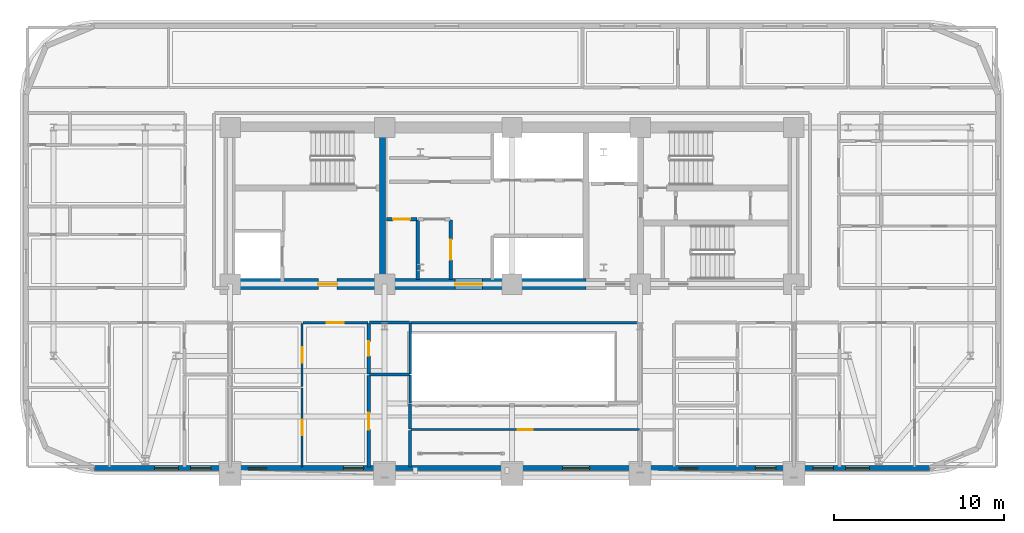
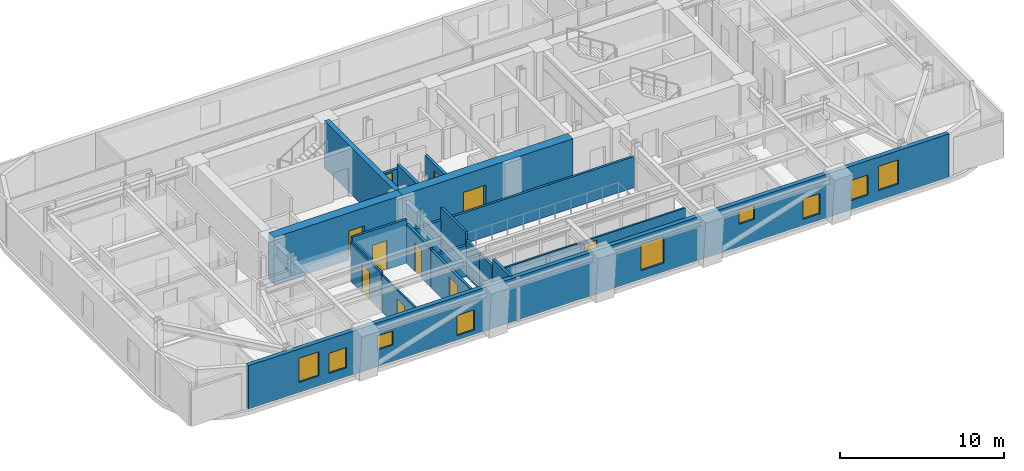
# One storey, part 9 of 16: 20 walls, 10 doors, 9 windows, 19 openings.
"""IFC4 building model written with IfcOpenShell, lengths in metres."""

from ifc_helpers import new_model, si_unit, direction, frame, frame_2d, origin, place, context, subcontext, project, spatial, rectangle, extrude, material, layer, layer_set, type_object, element, fill, save


model = new_model("IFC4")

# Units and contexts
model_context = context("Model", 3, precision=1e-05, world=origin(), true_north=direction((0.0, 1.0)))
body_context = subcontext(model_context, "Body", "Model", "MODEL_VIEW")
ifc_project = project(units=[si_unit("LENGTHUNIT", "METRE"), si_unit("AREAUNIT", "SQUARE_METRE"), si_unit("VOLUMEUNIT", "CUBIC_METRE"), si_unit("PLANEANGLEUNIT", "RADIAN"), si_unit("MASSUNIT", "GRAM", prefix="KILO")], contexts=[model_context])

# Site, building, storey
site_placement = place(None, origin())
site = spatial("IfcSite", under=ifc_project, at=site_placement, CompositionType="ELEMENT")
building_placement = place(site_placement, origin())
building = spatial("IfcBuilding", under=site, at=building_placement, Name="Zarnavel Station Tower", CompositionType="ELEMENT")
storey_placement = place(building_placement, frame((0.0, 0.0, 104.800048828125)))
storey = spatial("IfcBuildingStorey", under=building, at=storey_placement, Name="L28", CompositionType="ELEMENT", Elevation=104.800048828125)

# Wall
ifc_material_1 = material(Name="Concrete C50/60", Category="concrete")
ifc_layer_1 = layer(ifc_material_1, 0.35009765625)
ifc_layer_set_1 = layer_set([ifc_layer_1], Name="CW_350")
wall_type_1 = type_object("IfcWallType", Name="CW_350", PredefinedType="SHEAR", material=ifc_layer_set_1)
wall_1_placement = place(storey_placement, frame((21.179931640625, 28.14501953125, 0.0), z_axis=(0.0, 0.0, 1.0), x_axis=(0.0, 1.0, 0.0)))
element("IfcWall", 1, at=wall_1_placement, inside=storey, type_object=wall_type_1, Name="L28 Rear Core Shear Wall DIV-W", PredefinedType="SHEAR", context=body_context, shape_type="SweptSolid", body=[
    extrude(rectangle(XDim=8.580078125, YDim=0.35009765625, at=frame_2d((4.2900390625, 0.0))), origin(), (0.0, 0.0, 1.0), 3.5),
])

# Wall, opening, door
ifc_material_2 = material(Name="Concrete C60/75", Category="concrete")
ifc_layer_2 = layer(ifc_material_2, 0.64990234375)
ifc_layer_set_2 = layer_set([ifc_layer_2], Name="CW_650")
wall_type_2 = type_object("IfcWallType", Name="CW_650", PredefinedType="SHEAR", material=ifc_layer_set_2)
wall_2_placement = place(storey_placement, frame((21.179931640625, 27.820068359375, 0.0), z_axis=(0.0, 0.0, 1.0), x_axis=(-1.0, 0.0, 0.0)))
wall_2 = element("IfcWall", 2, at=wall_2_placement, inside=storey, type_object=wall_type_2, Name="L28 Rear Core Shear Wall S-W", PredefinedType="SHEAR", context=body_context, shape_type="SweptSolid", body=[
    extrude(rectangle(XDim=9.030029296875, YDim=0.64990234375, at=frame_2d((4.51513671875, 0.0))), origin(), (0.0, 0.0, 1.0), 3.5),
])
opening_1_placement = place(wall_2_placement, frame((2.679931640625, 0.0, 0.0)))
opening_1 = element("IfcOpeningElement", 3, at=opening_1_placement, cuts=wall_2, Name="Opening FD01", PredefinedType="OPENING", context=body_context, shape_type="SweptSolid", body=[
    extrude(rectangle(XDim=1.10009765625, YDim=2.14990234375, at=frame_2d((0.550048828125, 1.074951171875))), frame((0.0, 0.3349609375, 0.0), z_axis=(0.0, -1.0, 0.0), x_axis=(1.0, 0.0, 0.0)), (0.0, 0.0, 1.0), 0.669921875),
])
ifc_material_3 = material(Name="Painted Galvanised Steel and Hardwood Leaf", Category="steel")
door_type_1 = type_object("IfcDoorType", Name="ID_STAIR_1100", OperationType="NOTDEFINED", PredefinedType="DOOR", material=ifc_material_3)
door_1_placement = place(opening_1_placement, origin())
door_1 = element("IfcDoor", 4, at=door_1_placement, inside=storey, type_object=door_type_1, Name="L28 West Firefighting Lobby Door", OperationType="SINGLE_SWING_RIGHT", OverallHeight=2.14990234375, OverallWidth=1.10009765625, PredefinedType="DOOR", context=body_context, shape_type="SweptSolid", body=[
    extrude(rectangle(XDim=1.10009765625, YDim=2.14990234375, at=frame_2d((0.550048828125, 1.074951171875))), frame((0.0, 0.02490234375, 0.0), z_axis=(0.0, -1.0, 0.0), x_axis=(1.0, 0.0, 0.0)), (0.0, 0.0, 1.0), 0.050048828125),
])
fill(opening_1, door_1)

wall_3_placement = place(storey_placement, frame((33.14990234375, 27.820068359375, 0.0), z_axis=(0.0, 0.0, 1.0), x_axis=(-1.0, 0.0, 0.0)))
wall_3 = element("IfcWall", 5, at=wall_3_placement, inside=storey, type_object=wall_type_2, Name="L28 Rear Core Shear Wall S-M", PredefinedType="SHEAR", context=body_context, shape_type="SweptSolid", body=[
    extrude(rectangle(XDim=11.969970703125, YDim=0.64990234375, at=frame_2d((5.98486328125, 0.0))), origin(), (0.0, 0.0, 1.0), 3.5),
])
opening_2_placement = place(wall_3_placement, frame((6.10009765625, 0.0, 0.0)))
opening_2 = element("IfcOpeningElement", 6, at=opening_2_placement, cuts=wall_3, Name="Opening ID03", PredefinedType="OPENING", context=body_context, shape_type="SweptSolid", body=[
    extrude(rectangle(XDim=1.60009765625, YDim=2.199951171875, at=frame_2d((0.800048828125, 1.10009765625))), frame((0.0, 0.3349609375, 0.0), z_axis=(0.0, -1.0, 0.0), x_axis=(1.0, 0.0, 0.0)), (0.0, 0.0, 1.0), 0.669921875),
])
ifc_material_4 = material(Name="Painted Galvanised Steel and Hardwood Leaf", Category="steel")
door_type_2 = type_object("IfcDoorType", Name="ID_PUBLIC_1600", OperationType="DOUBLE_DOOR_SINGLE_SWING", PredefinedType="DOOR", material=ifc_material_4)
door_2_placement = place(opening_2_placement, origin())
door_2 = element("IfcDoor", 7, at=door_2_placement, inside=storey, type_object=door_type_2, Name="L28 Passenger Lift Lobby Double Door", OperationType="SINGLE_SWING_LEFT", OverallHeight=2.199951171875, OverallWidth=1.60009765625, PredefinedType="DOOR", context=body_context, shape_type="SweptSolid", body=[
    extrude(rectangle(XDim=1.60009765625, YDim=2.199951171875, at=frame_2d((0.800048828125, 1.10009765625))), frame((0.0, 0.02490234375, 0.0), z_axis=(0.0, -1.0, 0.0), x_axis=(1.0, 0.0, 0.0)), (0.0, 0.0, 1.0), 0.050048828125),
])
fill(opening_2, door_2)

# Wall, openings, windows
ifc_material_5 = material(Name="Precast concrete C45/55 (Dark Basalt Finish)", Category="masonry")
ifc_layer_3 = layer(ifc_material_5, 0.300048828125)
ifc_layer_set_3 = layer_set([ifc_layer_3], Name="EW_BASALT_300")
wall_type_3 = type_object("IfcWallType", Name="EW_BASALT_300", PredefinedType="SOLIDWALL", material=ifc_layer_set_3)
wall_4_placement = place(storey_placement, frame((53.39990234375, 16.97998046875, 0.0), z_axis=(0.0, 0.0, 1.0), x_axis=(-1.0, 0.0, 0.0)))
wall_4 = element("IfcWall", 8, at=wall_4_placement, inside=storey, type_object=wall_type_3, Name="L28 Exterior Basalt Masonry Frame Wall 12", PredefinedType="SOLIDWALL", context=body_context, shape_type="SweptSolid", body=[
    extrude(rectangle(XDim=49.199951171875, YDim=0.300048828125, at=frame_2d((24.60009765625, 0.0))), origin(), (0.0, 0.0, 1.0), 3.239990234375),
])
opening_3_placement = place(wall_4_placement, frame((44.256103515625, 0.0, 0.75)))
opening_3 = element("IfcOpeningElement", 9, at=opening_3_placement, cuts=wall_4, Name="Opening WN01", PredefinedType="OPENING", context=body_context, shape_type="SweptSolid", body=[
    extrude(rectangle(XDim=1.39990234375, YDim=1.800048828125, at=frame_2d((0.699951171875, 0.89990234375))), frame((0.0, 0.159912109375, 0.0), z_axis=(0.0, -1.0, 0.0), x_axis=(1.0, 0.0, 0.0)), (0.0, 0.0, 1.0), 0.320068359375),
])
opening_4_placement = place(wall_4_placement, frame((42.330078125, 0.0, 0.679931640625)))
opening_4 = element("IfcOpeningElement", 10, at=opening_4_placement, cuts=wall_4, Name="Opening WN08", PredefinedType="OPENING", context=body_context, shape_type="SweptSolid", body=[
    extrude(rectangle(XDim=1.199951171875, YDim=1.5, at=frame_2d((0.60009765625, 0.75))), frame((0.0, 0.159912109375, 0.0), z_axis=(0.0, -1.0, 0.0), x_axis=(1.0, 0.0, 0.0)), (0.0, 0.0, 1.0), 0.320068359375),
])
opening_5_placement = place(wall_4_placement, frame((33.337890625, 0.0, 0.340087890625)))
opening_5 = element("IfcOpeningElement", 11, at=opening_5_placement, cuts=wall_4, Name="Opening WN08", PredefinedType="OPENING", context=body_context, shape_type="SweptSolid", body=[
    extrude(rectangle(XDim=1.199951171875, YDim=1.5, at=frame_2d((0.60009765625, 0.75))), frame((0.0, 0.159912109375, 0.0), z_axis=(0.0, -1.0, 0.0), x_axis=(1.0, 0.0, 0.0)), (0.0, 0.0, 1.0), 0.320068359375),
])
opening_6_placement = place(wall_4_placement, frame((39.03955078125, 0.0, 1.219970703125)))
opening_6 = element("IfcOpeningElement", 12, at=opening_6_placement, cuts=wall_4, Name="Opening WN09", PredefinedType="OPENING", context=body_context, shape_type="SweptSolid", body=[
    extrude(rectangle(XDim=1.10009765625, YDim=1.050048828125, at=frame_2d((0.550048828125, 0.52490234375))), frame((0.0, 0.159912109375, 0.0), z_axis=(0.0, -1.0, 0.0), x_axis=(1.0, 0.0, 0.0)), (0.0, 0.0, 1.0), 0.320068359375),
])
opening_7_placement = place(wall_4_placement, frame((20.02490234375, 0.0, 0.64990234375)))
opening_7 = element("IfcOpeningElement", 13, at=opening_7_placement, cuts=wall_4, Name="Opening WN06", PredefinedType="OPENING", context=body_context, shape_type="SweptSolid", body=[
    extrude(rectangle(XDim=1.60009765625, YDim=1.949951171875, at=frame_2d((0.800048828125, 0.97509765625))), frame((0.0, 0.159912109375, 0.0), z_axis=(0.0, -1.0, 0.0), x_axis=(1.0, 0.0, 0.0)), (0.0, 0.0, 1.0), 0.320068359375),
])
opening_8_placement = place(wall_4_placement, frame((9.060302734375, 0.0, 0.47998046875)))
opening_8 = element("IfcOpeningElement", 14, at=opening_8_placement, cuts=wall_4, Name="Opening WN08", PredefinedType="OPENING", context=body_context, shape_type="SweptSolid", body=[
    extrude(rectangle(XDim=1.199951171875, YDim=1.5, at=frame_2d((0.60009765625, 0.75))), frame((0.0, 0.159912109375, 0.0), z_axis=(0.0, -1.0, 0.0), x_axis=(1.0, 0.0, 0.0)), (0.0, 0.0, 1.0), 0.320068359375),
])
opening_9_placement = place(wall_4_placement, frame((13.64990234375, 0.0, 1.679931640625)))
opening_9 = element("IfcOpeningElement", 15, at=opening_9_placement, cuts=wall_4, Name="Opening WN09", PredefinedType="OPENING", context=body_context, shape_type="SweptSolid", body=[
    extrude(rectangle(XDim=1.10009765625, YDim=1.050048828125, at=frame_2d((0.550048828125, 0.52490234375))), frame((0.0, 0.159912109375, 0.0), z_axis=(0.0, -1.0, 0.0), x_axis=(1.0, 0.0, 0.0)), (0.0, 0.0, 1.0), 0.320068359375),
])
opening_10_placement = place(wall_4_placement, frame((3.543701171875, 0.0, 0.75)))
opening_10 = element("IfcOpeningElement", 16, at=opening_10_placement, cuts=wall_4, Name="Opening WN01", PredefinedType="OPENING", context=body_context, shape_type="SweptSolid", body=[
    extrude(rectangle(XDim=1.39990234375, YDim=1.800048828125, at=frame_2d((0.699951171875, 0.89990234375))), frame((0.0, 0.159912109375, 0.0), z_axis=(0.0, -1.0, 0.0), x_axis=(1.0, 0.0, 0.0)), (0.0, 0.0, 1.0), 0.320068359375),
])
opening_11_placement = place(wall_4_placement, frame((5.669921875, 0.0, 0.679931640625)))
opening_11 = element("IfcOpeningElement", 17, at=opening_11_placement, cuts=wall_4, Name="Opening WN08", PredefinedType="OPENING", context=body_context, shape_type="SweptSolid", body=[
    extrude(rectangle(XDim=1.199951171875, YDim=1.5, at=frame_2d((0.60009765625, 0.75))), frame((0.0, 0.159912109375, 0.0), z_axis=(0.0, -1.0, 0.0), x_axis=(1.0, 0.0, 0.0)), (0.0, 0.0, 1.0), 0.320068359375),
])
ifc_material_6 = material(Name="Thermally Broken Black Aluminium and Low-E Dark Glass", Category="aluminium")
window_type_1 = type_object("IfcWindowType", Name="WN_1100x1050", PartitioningType="SINGLE_PANEL", PredefinedType="WINDOW", material=ifc_material_6)
window_1_placement = place(opening_6_placement, origin())
window_1 = element("IfcWindow", 18, at=window_1_placement, inside=storey, type_object=window_type_1, Name="L28 Recessed Facade Window 04", OverallHeight=1.050048828125, OverallWidth=1.10009765625, PartitioningType="SINGLE_PANEL", PredefinedType="WINDOW", context=body_context, shape_type="SweptSolid", body=[
    extrude(rectangle(XDim=1.10009765625, YDim=1.050048828125, at=frame_2d((0.550048828125, 0.52490234375))), frame((0.0, 0.030029296875, 0.0), z_axis=(0.0, -1.0, 0.0), x_axis=(1.0, 0.0, 0.0)), (0.0, 0.0, 1.0), 0.06005859375),
])
fill(opening_6, window_1)
window_2_placement = place(opening_9_placement, origin())
window_2 = element("IfcWindow", 19, at=window_2_placement, inside=storey, type_object=window_type_1, Name="L28 Recessed Facade Window 07", OverallHeight=1.050048828125, OverallWidth=1.10009765625, PartitioningType="SINGLE_PANEL", PredefinedType="WINDOW", context=body_context, shape_type="SweptSolid", body=[
    extrude(rectangle(XDim=1.10009765625, YDim=1.050048828125, at=frame_2d((0.550048828125, 0.52490234375))), frame((0.0, 0.030029296875, 0.0), z_axis=(0.0, -1.0, 0.0), x_axis=(1.0, 0.0, 0.0)), (0.0, 0.0, 1.0), 0.06005859375),
])
fill(opening_9, window_2)
ifc_material_7 = material(Name="Thermally Broken Black Aluminium and Low-E Dark Glass", Category="aluminium")
window_type_2 = type_object("IfcWindowType", Name="WN_1200x1500", PartitioningType="SINGLE_PANEL", PredefinedType="WINDOW", material=ifc_material_7)
window_3_placement = place(opening_4_placement, origin())
window_3 = element("IfcWindow", 20, at=window_3_placement, inside=storey, type_object=window_type_2, Name="L28 Recessed Facade Window 02", OverallHeight=1.5, OverallWidth=1.199951171875, PartitioningType="SINGLE_PANEL", PredefinedType="WINDOW", context=body_context, shape_type="SweptSolid", body=[
    extrude(rectangle(XDim=1.199951171875, YDim=1.5, at=frame_2d((0.60009765625, 0.75))), frame((0.0, 0.030029296875, 0.0), z_axis=(0.0, -1.0, 0.0), x_axis=(1.0, 0.0, 0.0)), (0.0, 0.0, 1.0), 0.06005859375),
])
fill(opening_4, window_3)
window_4_placement = place(opening_5_placement, origin())
window_4 = element("IfcWindow", 21, at=window_4_placement, inside=storey, type_object=window_type_2, Name="L28 Recessed Facade Window 03", OverallHeight=1.5, OverallWidth=1.199951171875, PartitioningType="SINGLE_PANEL", PredefinedType="WINDOW", context=body_context, shape_type="SweptSolid", body=[
    extrude(rectangle(XDim=1.199951171875, YDim=1.5, at=frame_2d((0.60009765625, 0.75))), frame((0.0, 0.030029296875, 0.0), z_axis=(0.0, -1.0, 0.0), x_axis=(1.0, 0.0, 0.0)), (0.0, 0.0, 1.0), 0.06005859375),
])
fill(opening_5, window_4)
window_5_placement = place(opening_8_placement, origin())
window_5 = element("IfcWindow", 22, at=window_5_placement, inside=storey, type_object=window_type_2, Name="L28 Recessed Facade Window 06", OverallHeight=1.5, OverallWidth=1.199951171875, PartitioningType="SINGLE_PANEL", PredefinedType="WINDOW", context=body_context, shape_type="SweptSolid", body=[
    extrude(rectangle(XDim=1.199951171875, YDim=1.5, at=frame_2d((0.60009765625, 0.75))), frame((0.0, 0.030029296875, 0.0), z_axis=(0.0, -1.0, 0.0), x_axis=(1.0, 0.0, 0.0)), (0.0, 0.0, 1.0), 0.06005859375),
])
fill(opening_8, window_5)
window_6_placement = place(opening_11_placement, origin())
window_6 = element("IfcWindow", 23, at=window_6_placement, inside=storey, type_object=window_type_2, Name="L28 Recessed Facade Window 09", OverallHeight=1.5, OverallWidth=1.199951171875, PartitioningType="SINGLE_PANEL", PredefinedType="WINDOW", context=body_context, shape_type="SweptSolid", body=[
    extrude(rectangle(XDim=1.199951171875, YDim=1.5, at=frame_2d((0.60009765625, 0.75))), frame((0.0, 0.030029296875, 0.0), z_axis=(0.0, -1.0, 0.0), x_axis=(1.0, 0.0, 0.0)), (0.0, 0.0, 1.0), 0.06005859375),
])
fill(opening_11, window_6)
ifc_material_8 = material(Name="Thermally Broken Black Aluminium and Low-E Dark Glass", Category="aluminium")
window_type_3 = type_object("IfcWindowType", Name="WN_1400x1800", PartitioningType="DOUBLE_PANEL_VERTICAL", PredefinedType="WINDOW", material=ifc_material_8)
window_7_placement = place(opening_3_placement, origin())
window_7 = element("IfcWindow", 24, at=window_7_placement, inside=storey, type_object=window_type_3, Name="L28 Recessed Facade Window 01", OverallHeight=1.800048828125, OverallWidth=1.39990234375, PartitioningType="SINGLE_PANEL", PredefinedType="WINDOW", context=body_context, shape_type="SweptSolid", body=[
    extrude(rectangle(XDim=1.39990234375, YDim=1.800048828125, at=frame_2d((0.699951171875, 0.89990234375))), frame((0.0, 0.030029296875, 0.0), z_axis=(0.0, -1.0, 0.0), x_axis=(1.0, 0.0, 0.0)), (0.0, 0.0, 1.0), 0.06005859375),
])
fill(opening_3, window_7)
window_8_placement = place(opening_10_placement, origin())
window_8 = element("IfcWindow", 25, at=window_8_placement, inside=storey, type_object=window_type_3, Name="L28 Recessed Facade Window 08", OverallHeight=1.800048828125, OverallWidth=1.39990234375, PartitioningType="SINGLE_PANEL", PredefinedType="WINDOW", context=body_context, shape_type="SweptSolid", body=[
    extrude(rectangle(XDim=1.39990234375, YDim=1.800048828125, at=frame_2d((0.699951171875, 0.89990234375))), frame((0.0, 0.030029296875, 0.0), z_axis=(0.0, -1.0, 0.0), x_axis=(1.0, 0.0, 0.0)), (0.0, 0.0, 1.0), 0.06005859375),
])
fill(opening_10, window_8)
ifc_material_9 = material(Name="Thermally Broken Black Aluminium and Low-E Dark Glass", Category="aluminium")
window_type_4 = type_object("IfcWindowType", Name="WN_1600x1950", PartitioningType="DOUBLE_PANEL_VERTICAL", PredefinedType="WINDOW", material=ifc_material_9)
window_9_placement = place(opening_7_placement, origin())
window_9 = element("IfcWindow", 26, at=window_9_placement, inside=storey, type_object=window_type_4, Name="L28 Recessed Facade Window 05", OverallHeight=1.949951171875, OverallWidth=1.60009765625, PartitioningType="SINGLE_PANEL", PredefinedType="WINDOW", context=body_context, shape_type="SweptSolid", body=[
    extrude(rectangle(XDim=1.60009765625, YDim=1.949951171875, at=frame_2d((0.800048828125, 0.97509765625))), frame((0.0, 0.030029296875, 0.0), z_axis=(0.0, -1.0, 0.0), x_axis=(1.0, 0.0, 0.0)), (0.0, 0.0, 1.0), 0.06005859375),
])
fill(opening_7, window_9)

# Wall, opening, door
ifc_material_10 = material(Name="Gypsum Twin-Stud Acoustic Fire Partition", Category="concrete")
ifc_layer_4 = layer(ifc_material_10, 0.159912109375)
ifc_layer_set_4 = layer_set([ifc_layer_4], Name="PT_DEMISE_160")
wall_type_4 = type_object("IfcWallType", Name="PT_DEMISE_160", PredefinedType="PARTITIONING", material=ifc_layer_set_4)
wall_5_placement = place(storey_placement, frame((16.47998046875, 25.550048828125, 0.0), z_axis=(0.0, 0.0, 1.0), x_axis=(1.0, 0.0, 0.0)))
wall_5 = element("IfcWall", 27, at=wall_5_placement, inside=storey, type_object=wall_type_4, Name="L28 Partition COR-S-UW1BLV", PredefinedType="PARTITIONING", context=body_context, shape_type="SweptSolid", body=[
    extrude(rectangle(XDim=3.842041015625, YDim=0.159912109375, at=frame_2d((1.9208984375, 0.0))), origin(), (0.0, 0.0, 1.0), 3.239990234375),
])
opening_12_placement = place(wall_5_placement, frame((1.4208984375, 0.0, 0.0)))
opening_12 = element("IfcOpeningElement", 28, at=opening_12_placement, cuts=wall_5, Name="Opening FD02", PredefinedType="OPENING", context=body_context, shape_type="SweptSolid", body=[
    extrude(rectangle(XDim=1.0, YDim=2.14990234375, at=frame_2d((0.5, 1.074951171875))), frame((0.0, 0.08984375, 0.0), z_axis=(0.0, -1.0, 0.0), x_axis=(1.0, 0.0, 0.0)), (0.0, 0.0, 1.0), 0.179931640625),
])
ifc_material_11 = material(Name="Painted Galvanised Steel and Hardwood Leaf", Category="steel")
door_type_3 = type_object("IfcDoorType", Name="ID_ENTRY_1000", OperationType="NOTDEFINED", PredefinedType="DOOR", material=ifc_material_11)
door_3_placement = place(opening_12_placement, origin())
door_3 = element("IfcDoor", 29, at=door_3_placement, inside=storey, type_object=door_type_3, Name="L28 Door COR-S-UW1BLV", OperationType="SINGLE_SWING_RIGHT", OverallHeight=2.14990234375, OverallWidth=1.0, PredefinedType="DOOR", context=body_context, shape_type="SweptSolid", body=[
    extrude(rectangle(XDim=1.0, YDim=2.14990234375, at=frame_2d((0.5, 1.074951171875))), frame((0.0, 0.02490234375, 0.0), z_axis=(0.0, -1.0, 0.0), x_axis=(1.0, 0.0, 0.0)), (0.0, 0.0, 1.0), 0.050048828125),
])
fill(opening_12, door_3)

# Walls
wall_6_placement = place(storey_placement, frame((22.830078125, 25.550048828125, 0.0), z_axis=(0.0, 0.0, 1.0), x_axis=(1.0, 0.0, 0.0)))
element("IfcWall", 30, at=wall_6_placement, inside=storey, type_object=wall_type_4, Name="L28 Enclosure Wall COR-S", PredefinedType="PARTITIONING", context=body_context, shape_type="SweptSolid", body=[
    extrude(rectangle(XDim=13.489990234375, YDim=0.159912109375, at=frame_2d((6.7451171875, 0.0))), origin(), (0.0, 0.0, 1.0), 2.31005859375),
])
wall_7_placement = place(storey_placement, frame((22.800048828125, 20.830078125, 0.0), z_axis=(0.0, 0.0, 1.0), x_axis=(0.0, 1.0, 0.0)))
element("IfcWall", 31, at=wall_7_placement, inside=storey, type_object=wall_type_4, Name="L28 Enclosure Wall UW1BKT", PredefinedType="PARTITIONING", context=body_context, shape_type="SweptSolid", body=[
    extrude(rectangle(XDim=1.634033203125, YDim=0.159912109375, at=frame_2d((0.81689453125, 0.0))), origin(), (0.0, 0.0, 1.0), 2.679931640625),
])
wall_8_placement = place(storey_placement, frame((22.800048828125, 22.52392578125, 0.0), z_axis=(0.0, 0.0, 1.0), x_axis=(0.0, 1.0, 0.0)))
element("IfcWall", 32, at=wall_8_placement, inside=storey, type_object=wall_type_4, Name="L28 Enclosure Wall UW1BBA", PredefinedType="PARTITIONING", context=body_context, shape_type="SweptSolid", body=[
    extrude(rectangle(XDim=2.99609375, YDim=0.159912109375, at=frame_2d((1.498046875, 0.0))), origin(), (0.0, 0.0, 1.0), 3.239990234375),
])

# Wall, opening, door
ifc_material_12 = material(Name="Gypsum Metal-Stud Interior Partition", Category="concrete")
ifc_layer_5 = layer(ifc_material_12, 0.1201171875)
ifc_layer_set_5 = layer_set([ifc_layer_5], Name="PT_ROOM_120")
wall_type_5 = type_object("IfcWallType", Name="PT_ROOM_120", PredefinedType="PARTITIONING", material=ifc_layer_set_5)
wall_9_placement = place(storey_placement, frame((22.840087890625, 19.25, 0.0), z_axis=(0.0, 0.0, 1.0), x_axis=(1.0, 0.0, 0.0)))
wall_9 = element("IfcWall", 33, at=wall_9_placement, inside=storey, type_object=wall_type_5, Name="L28 Partition COR-AS-L27FOY", PredefinedType="PARTITIONING", context=body_context, shape_type="SweptSolid", body=[
    extrude(rectangle(XDim=13.469970703125, YDim=0.1201171875, at=frame_2d((6.73486328125, 0.0))), origin(), (0.0, 0.0, 1.0), 2.31005859375),
])
opening_13_placement = place(wall_9_placement, frame((6.284912109375, 0.0, 0.0)))
opening_13 = element("IfcOpeningElement", 34, at=opening_13_placement, cuts=wall_9, Name="Opening ID01", PredefinedType="OPENING", context=body_context, shape_type="SweptSolid", body=[
    extrude(rectangle(XDim=0.89990234375, YDim=2.10009765625, at=frame_2d((0.449951171875, 1.050048828125))), frame((0.0, 0.070068359375, 0.0), z_axis=(0.0, -1.0, 0.0), x_axis=(1.0, 0.0, 0.0)), (0.0, 0.0, 1.0), 0.14013671875),
])
ifc_material_13 = material(Name="Painted Galvanised Steel and Hardwood Leaf", Category="steel")
door_type_4 = type_object("IfcDoorType", Name="ID_ROOM_900", OperationType="NOTDEFINED", PredefinedType="DOOR", material=ifc_material_13)
door_4_placement = place(opening_13_placement, origin())
door_4 = element("IfcDoor", 35, at=door_4_placement, inside=storey, type_object=door_type_4, Name="L28 Door COR-AS-L27FOY", OperationType="SINGLE_SWING_RIGHT", OverallHeight=2.10009765625, OverallWidth=0.89990234375, PredefinedType="DOOR", context=body_context, shape_type="SweptSolid", body=[
    extrude(rectangle(XDim=0.89990234375, YDim=2.10009765625, at=frame_2d((0.449951171875, 1.050048828125))), frame((0.0, 0.02490234375, 0.0), z_axis=(0.0, -1.0, 0.0), x_axis=(1.0, 0.0, 0.0)), (0.0, 0.0, 1.0), 0.050048828125),
])
fill(opening_13, door_4)

wall_10_placement = place(storey_placement, frame((16.43994140625, 17.06005859375, 0.0), z_axis=(0.0, 0.0, 1.0), x_axis=(0.0, 1.0, 0.0)))
wall_10 = element("IfcWall", 36, at=wall_10_placement, inside=storey, type_object=wall_type_5, Name="L28 Partition UW1BLV-UW1BB1", PredefinedType="PARTITIONING", context=body_context, shape_type="SweptSolid", body=[
    extrude(rectangle(XDim=4.640869140625, YDim=0.1201171875, at=frame_2d((2.3203125, 0.0))), origin(), (0.0, 0.0, 1.0), 2.780029296875),
])
opening_14_placement = place(wall_10_placement, frame((1.87060546875, 0.0, 0.0)))
opening_14 = element("IfcOpeningElement", 37, at=opening_14_placement, cuts=wall_10, Name="Opening ID01", PredefinedType="OPENING", context=body_context, shape_type="SweptSolid", body=[
    extrude(rectangle(XDim=0.89990234375, YDim=2.10009765625, at=frame_2d((0.449951171875, 1.050048828125))), frame((0.0, 0.070068359375, 0.0), z_axis=(0.0, -1.0, 0.0), x_axis=(1.0, 0.0, 0.0)), (0.0, 0.0, 1.0), 0.14013671875),
])
door_5_placement = place(opening_14_placement, origin())
door_5 = element("IfcDoor", 38, at=door_5_placement, inside=storey, type_object=door_type_4, Name="L28 Door UW1BLV-UW1BB1", OperationType="SINGLE_SWING_RIGHT", OverallHeight=2.10009765625, OverallWidth=0.89990234375, PredefinedType="DOOR", context=body_context, shape_type="SweptSolid", body=[
    extrude(rectangle(XDim=0.89990234375, YDim=2.10009765625, at=frame_2d((0.449951171875, 1.050048828125))), frame((0.0, 0.02490234375, 0.0), z_axis=(0.0, -1.0, 0.0), x_axis=(1.0, 0.0, 0.0)), (0.0, 0.0, 1.0), 0.050048828125),
])
fill(opening_14, door_5)

wall_11_placement = place(storey_placement, frame((16.43994140625, 21.781005859375, 0.0), z_axis=(0.0, 0.0, 1.0), x_axis=(0.0, 1.0, 0.0)))
wall_11 = element("IfcWall", 39, at=wall_11_placement, inside=storey, type_object=wall_type_5, Name="L28 Partition UW1BLV-UW1BB2", PredefinedType="PARTITIONING", context=body_context, shape_type="SweptSolid", body=[
    extrude(rectangle(XDim=3.72900390625, YDim=0.1201171875, at=frame_2d((1.864501953125, 0.0))), origin(), (0.0, 0.0, 1.0), 2.909912109375),
])
opening_15_placement = place(wall_11_placement, frame((1.41455078125, 0.0, 0.0)))
opening_15 = element("IfcOpeningElement", 40, at=opening_15_placement, cuts=wall_11, Name="Opening ID01", PredefinedType="OPENING", context=body_context, shape_type="SweptSolid", body=[
    extrude(rectangle(XDim=0.89990234375, YDim=2.10009765625, at=frame_2d((0.449951171875, 1.050048828125))), frame((0.0, 0.070068359375, 0.0), z_axis=(0.0, -1.0, 0.0), x_axis=(1.0, 0.0, 0.0)), (0.0, 0.0, 1.0), 0.14013671875),
])
door_6_placement = place(opening_15_placement, origin())
door_6 = element("IfcDoor", 41, at=door_6_placement, inside=storey, type_object=door_type_4, Name="L28 Door UW1BLV-UW1BB2", OperationType="SINGLE_SWING_LEFT", OverallHeight=2.10009765625, OverallWidth=0.89990234375, PredefinedType="DOOR", context=body_context, shape_type="SweptSolid", body=[
    extrude(rectangle(XDim=0.89990234375, YDim=2.10009765625, at=frame_2d((0.449951171875, 1.050048828125))), frame((0.0, 0.02490234375, 0.0), z_axis=(0.0, -1.0, 0.0), x_axis=(1.0, 0.0, 0.0)), (0.0, 0.0, 1.0), 0.050048828125),
])
fill(opening_15, door_6)

ifc_material_14 = material(Name="Precast concrete C45/55 (Fire Shaft Blockwork)", Category="masonry")
ifc_layer_6 = layer(ifc_material_14, 0.199951171875)
ifc_layer_set_6 = layer_set([ifc_layer_6], Name="PT_SHAFT_200")
wall_type_6 = type_object("IfcWallType", Name="PT_SHAFT_200", PredefinedType="PARTITIONING", material=ifc_layer_set_6)
wall_12_placement = place(storey_placement, frame((21.39990234375, 31.64990234375, 0.0), z_axis=(0.0, 0.0, 1.0), x_axis=(1.0, 0.0, 0.0)))
wall_12 = element("IfcWall", 42, at=wall_12_placement, inside=storey, type_object=wall_type_6, Name="L28 Partition LLOB-CS1", PredefinedType="PARTITIONING", context=body_context, shape_type="SweptSolid", body=[
    extrude(rectangle(XDim=1.81005859375, YDim=0.199951171875, at=frame_2d((0.905029296875, 0.0))), origin(), (0.0, 0.0, 1.0), 2.280029296875),
])
opening_16_placement = place(wall_12_placement, frame((0.405029296875, 0.0, 0.0)))
opening_16 = element("IfcOpeningElement", 43, at=opening_16_placement, cuts=wall_12, Name="Opening FD02", PredefinedType="OPENING", context=body_context, shape_type="SweptSolid", body=[
    extrude(rectangle(XDim=1.0, YDim=2.14990234375, at=frame_2d((0.5, 1.074951171875))), frame((0.0, 0.10986328125, 0.0), z_axis=(0.0, -1.0, 0.0), x_axis=(1.0, 0.0, 0.0)), (0.0, 0.0, 1.0), 0.219970703125),
])
door_7_placement = place(opening_16_placement, origin())
door_7 = element("IfcDoor", 44, at=door_7_placement, inside=storey, type_object=door_type_3, Name="L28 Door LLOB-CS1", OperationType="SINGLE_SWING_RIGHT", OverallHeight=2.14990234375, OverallWidth=1.0, PredefinedType="DOOR", context=body_context, shape_type="SweptSolid", body=[
    extrude(rectangle(XDim=1.0, YDim=2.14990234375, at=frame_2d((0.5, 1.074951171875))), frame((0.0, 0.02490234375, 0.0), z_axis=(0.0, -1.0, 0.0), x_axis=(1.0, 0.0, 0.0)), (0.0, 0.0, 1.0), 0.050048828125),
])
fill(opening_16, door_7)

wall_13_placement = place(storey_placement, frame((25.199951171875, 28.090087890625, 0.0), z_axis=(0.0, 0.0, 1.0), x_axis=(0.0, 1.0, 0.0)))
wall_13 = element("IfcWall", 45, at=wall_13_placement, inside=storey, type_object=wall_type_6, Name="L28 Partition LLOBS-CS2", PredefinedType="PARTITIONING", context=body_context, shape_type="SweptSolid", body=[
    extrude(rectangle(XDim=3.52001953125, YDim=0.199951171875, at=frame_2d((1.760009765625, 0.0))), origin(), (0.0, 0.0, 1.0), 2.619873046875),
])
opening_17_placement = place(wall_13_placement, frame((1.159912109375, 0.0, 0.0)))
opening_17 = element("IfcOpeningElement", 46, at=opening_17_placement, cuts=wall_13, Name="Opening FD03", PredefinedType="OPENING", context=body_context, shape_type="SweptSolid", body=[
    extrude(rectangle(XDim=1.199951171875, YDim=2.14990234375, at=frame_2d((0.60009765625, 1.074951171875))), frame((0.0, 0.10986328125, 0.0), z_axis=(0.0, -1.0, 0.0), x_axis=(1.0, 0.0, 0.0)), (0.0, 0.0, 1.0), 0.219970703125),
])
ifc_material_15 = material(Name="Painted Galvanised Steel and Hardwood Leaf", Category="steel")
door_type_5 = type_object("IfcDoorType", Name="ID_PLANT_1200", OperationType="NOTDEFINED", PredefinedType="DOOR", material=ifc_material_15)
door_8_placement = place(opening_17_placement, origin())
door_8 = element("IfcDoor", 47, at=door_8_placement, inside=storey, type_object=door_type_5, Name="L28 Door LLOBS-CS2", OperationType="SINGLE_SWING_LEFT", OverallHeight=2.14990234375, OverallWidth=1.199951171875, PredefinedType="DOOR", context=body_context, shape_type="SweptSolid", body=[
    extrude(rectangle(XDim=1.199951171875, YDim=2.14990234375, at=frame_2d((0.60009765625, 1.074951171875))), frame((0.0, 0.02490234375, 0.0), z_axis=(0.0, -1.0, 0.0), x_axis=(1.0, 0.0, 0.0)), (0.0, 0.0, 1.0), 0.050048828125),
])
fill(opening_17, door_8)

# Walls
wall_14_placement = place(storey_placement, frame((23.25, 28.090087890625, 0.0), z_axis=(0.0, 0.0, 1.0), x_axis=(0.0, 1.0, 0.0)))
element("IfcWall", 48, at=wall_14_placement, inside=storey, type_object=wall_type_6, Name="L28 Partition CS1-CS2", PredefinedType="PARTITIONING", context=body_context, shape_type="SweptSolid", body=[
    extrude(rectangle(XDim=3.52001953125, YDim=0.199951171875, at=frame_2d((1.760009765625, 0.0))), origin(), (0.0, 0.0, 1.0), 2.619873046875),
])
ifc_material_16 = material(Name="Moisture-Resistant Plumbing Chase Wall", Category="concrete")
ifc_layer_7 = layer(ifc_material_16, 0.179931640625)
ifc_layer_set_7 = layer_set([ifc_layer_7], Name="PW_PLUMB_180")
wall_type_7 = type_object("IfcWallType", Name="PW_PLUMB_180", PredefinedType="PLUMBINGWALL", material=ifc_layer_set_7)
wall_15_placement = place(storey_placement, frame((20.402099609375, 25.550048828125, 0.0), z_axis=(0.0, 0.0, 1.0), x_axis=(1.0, 0.0, 0.0)))
element("IfcWall", 49, at=wall_15_placement, inside=storey, type_object=wall_type_7, Name="L28 Partition COR-S-UW1BBA", PredefinedType="PLUMBINGWALL", context=body_context, shape_type="SweptSolid", body=[
    extrude(rectangle(XDim=2.35791015625, YDim=0.179931640625, at=frame_2d((1.178955078125, 0.0))), origin(), (0.0, 0.0, 1.0), 2.31005859375),
])
wall_16_placement = place(storey_placement, frame((22.800048828125, 19.2900390625, 0.0), z_axis=(0.0, 0.0, 1.0), x_axis=(0.0, 1.0, 0.0)))
element("IfcWall", 50, at=wall_16_placement, inside=storey, type_object=wall_type_7, Name="L28 Partition COR-AS-UW1BKT", PredefinedType="PLUMBINGWALL", context=body_context, shape_type="SweptSolid", body=[
    extrude(rectangle(XDim=1.469970703125, YDim=0.179931640625, at=frame_2d((0.73486328125, 0.0))), origin(), (0.0, 0.0, 1.0), 2.679931640625),
])

# Wall, opening, door
wall_17_placement = place(storey_placement, frame((20.362060546875, 17.06005859375, 0.0), z_axis=(0.0, 0.0, 1.0), x_axis=(0.0, 1.0, 0.0)))
wall_17 = element("IfcWall", 51, at=wall_17_placement, inside=storey, type_object=wall_type_7, Name="L28 Partition UW1BLV-UW1BKT", PredefinedType="PLUMBINGWALL", context=body_context, shape_type="SweptSolid", body=[
    extrude(rectangle(XDim=5.39404296875, YDim=0.179931640625, at=frame_2d((2.697021484375, 0.0))), origin(), (0.0, 0.0, 1.0), 2.780029296875),
])
opening_18_placement = place(wall_17_placement, frame((2.197021484375, 0.0, 0.0)))
opening_18 = element("IfcOpeningElement", 52, at=opening_18_placement, cuts=wall_17, Name="Opening FD02", PredefinedType="OPENING", context=body_context, shape_type="SweptSolid", body=[
    extrude(rectangle(XDim=1.0, YDim=2.14990234375, at=frame_2d((0.5, 1.074951171875))), frame((0.0, 0.099853515625, 0.0), z_axis=(0.0, -1.0, 0.0), x_axis=(1.0, 0.0, 0.0)), (0.0, 0.0, 1.0), 0.199951171875),
])
door_9_placement = place(opening_18_placement, origin())
door_9 = element("IfcDoor", 53, at=door_9_placement, inside=storey, type_object=door_type_3, Name="L28 Door UW1BLV-UW1BKT", OperationType="SINGLE_SWING_RIGHT", OverallHeight=2.14990234375, OverallWidth=1.0, PredefinedType="DOOR", context=body_context, shape_type="SweptSolid", body=[
    extrude(rectangle(XDim=1.0, YDim=2.14990234375, at=frame_2d((0.5, 1.074951171875))), frame((0.0, 0.02490234375, 0.0), z_axis=(0.0, -1.0, 0.0), x_axis=(1.0, 0.0, 0.0)), (0.0, 0.0, 1.0), 0.050048828125),
])
fill(opening_18, door_9)

wall_18_placement = place(storey_placement, frame((20.362060546875, 22.533935546875, 0.0), z_axis=(0.0, 0.0, 1.0), x_axis=(0.0, 1.0, 0.0)))
wall_18 = element("IfcWall", 54, at=wall_18_placement, inside=storey, type_object=wall_type_7, Name="L28 Partition UW1BLV-UW1BBA", PredefinedType="PLUMBINGWALL", context=body_context, shape_type="SweptSolid", body=[
    extrude(rectangle(XDim=2.97607421875, YDim=0.179931640625, at=frame_2d((1.488037109375, 0.0))), origin(), (0.0, 0.0, 1.0), 2.909912109375),
])
opening_19_placement = place(wall_18_placement, frame((1.06298828125, 0.0, 0.0)))
opening_19 = element("IfcOpeningElement", 55, at=opening_19_placement, cuts=wall_18, Name="Opening ID02", PredefinedType="OPENING", context=body_context, shape_type="SweptSolid", body=[
    extrude(rectangle(XDim=0.85009765625, YDim=2.10009765625, at=frame_2d((0.425048828125, 1.050048828125))), frame((0.0, 0.099853515625, 0.0), z_axis=(0.0, -1.0, 0.0), x_axis=(1.0, 0.0, 0.0)), (0.0, 0.0, 1.0), 0.199951171875),
])
ifc_material_17 = material(Name="Painted Galvanised Steel and Hardwood Leaf", Category="steel")
door_type_6 = type_object("IfcDoorType", Name="ID_BATH_850", OperationType="NOTDEFINED", PredefinedType="DOOR", material=ifc_material_17)
door_10_placement = place(opening_19_placement, origin())
door_10 = element("IfcDoor", 56, at=door_10_placement, inside=storey, type_object=door_type_6, Name="L28 Door UW1BLV-UW1BBA", OperationType="SINGLE_SWING_LEFT", OverallHeight=2.10009765625, OverallWidth=0.85009765625, PredefinedType="DOOR", context=body_context, shape_type="SweptSolid", body=[
    extrude(rectangle(XDim=0.85009765625, YDim=2.10009765625, at=frame_2d((0.425048828125, 1.050048828125))), frame((0.0, 0.02490234375, 0.0), z_axis=(0.0, -1.0, 0.0), x_axis=(1.0, 0.0, 0.0)), (0.0, 0.0, 1.0), 0.050048828125),
])
fill(opening_19, door_10)

# Walls
wall_19_placement = place(storey_placement, frame((20.402099609375, 22.493896484375, 0.0), z_axis=(0.0, 0.0, 1.0), x_axis=(1.0, 0.0, 0.0)))
element("IfcWall", 57, at=wall_19_placement, inside=storey, type_object=wall_type_7, Name="L28 Partition UW1BKT-UW1BBA", PredefinedType="PLUMBINGWALL", context=body_context, shape_type="SweptSolid", body=[
    extrude(rectangle(XDim=2.35791015625, YDim=0.179931640625, at=frame_2d((1.178955078125, 0.0))), origin(), (0.0, 0.0, 1.0), 2.31005859375),
])
wall_20_placement = place(storey_placement, frame((22.800048828125, 17.06005859375, 0.0), z_axis=(0.0, 0.0, 1.0), x_axis=(0.0, 1.0, 0.0)))
element("IfcWall", 58, at=wall_20_placement, inside=storey, type_object=wall_type_7, Name="L28 Partition UW1BKT-L27FOY", PredefinedType="PLUMBINGWALL", context=body_context, shape_type="SweptSolid", body=[
    extrude(rectangle(XDim=2.14990234375, YDim=0.179931640625, at=frame_2d((1.074951171875, 0.0))), origin(), (0.0, 0.0, 1.0), 3.239990234375),
])

save(model, "model.ifc")
